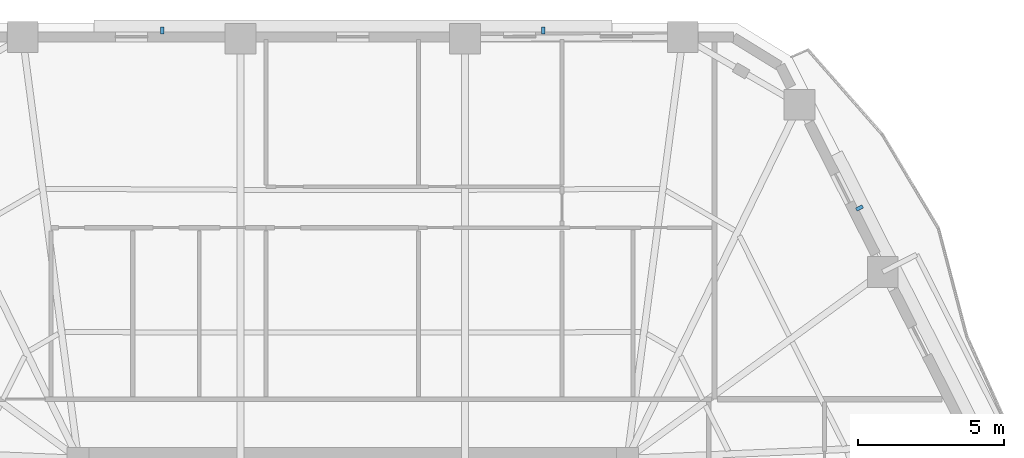
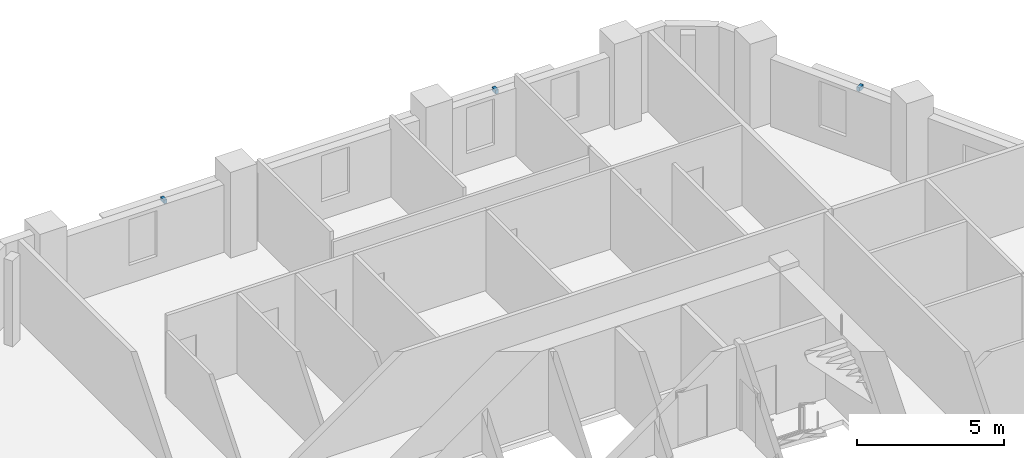
# One storey, part 9 of 12: 3 discrete accessories.
"""IFC4 building model written with IfcOpenShell, lengths in metres."""

from ifc_helpers import new_model, si_unit, direction, frame, origin, origin_2d, place, context, subcontext, project, spatial, rectangle, extrude, material, type_object, element, save


model = new_model("IFC4")

# Units and contexts
model_context = context("Model", 3, precision=1e-05, world=origin(), true_north=direction((0.0, 1.0)))
body_context = subcontext(model_context, "Body", "Model", "MODEL_VIEW")
ifc_project = project(units=[si_unit("LENGTHUNIT", "METRE"), si_unit("AREAUNIT", "SQUARE_METRE"), si_unit("VOLUMEUNIT", "CUBIC_METRE"), si_unit("PLANEANGLEUNIT", "RADIAN"), si_unit("MASSUNIT", "GRAM", prefix="KILO")], contexts=[model_context])

# Site, building, storey
site_placement = place(None, origin())
site = spatial("IfcSite", under=ifc_project, at=site_placement, CompositionType="ELEMENT")
building_placement = place(site_placement, origin())
building = spatial("IfcBuilding", under=site, at=building_placement, Name="Cinnabar Lancet Tower", CompositionType="ELEMENT")
storey_placement = place(building_placement, frame((0.0, 0.0, 126.800048828125)))
storey = spatial("IfcBuildingStorey", under=building, at=storey_placement, Name="L33", CompositionType="ELEMENT", Elevation=126.800048828125)

# Discrete accessories
ifc_material = material(Name="Stainless steel 316 facade fixing bracket", Category="steel")
discrete_accessory_type = type_object("IfcDiscreteAccessoryType", Name="ENV-ACC-BRK-180", PredefinedType="BRACKET", material=ifc_material)
for number, where, z_axis, x_axis, name in (
    (1, (49.698974609375, 41.827880859375, 2.60009765625), (0.0, 0.0, 1.0), (-0.451453853408, 0.892294468347, 0.0), "L33 Face 3 Sunshade Bracket B"),
    (2, (38.90087890625, 47.889892578125, 2.60009765625), (0.0, 0.0, 1.0), (-1.0, 0.0, 0.0), "L33 Face 4 Sunshade Bracket A"),
    (3, (25.89892578125, 47.889892578125, 2.60009765625), (0.0, 0.0, 1.0), (-1.0, 0.0, 0.0), "L33 Face 4 Sunshade Bracket B"),
):
    element("IfcDiscreteAccessory", number, at=place(storey_placement, frame(where, z_axis=z_axis, x_axis=x_axis)), inside=storey, type_object=discrete_accessory_type, Name=name, PredefinedType="BRACKET", context=body_context, shape_type="SweptSolid", body=[
        extrude(rectangle(XDim=0.1201171875, YDim=0.239990234375, at=origin_2d()), origin(), (0.0, 0.0, 1.0), 0.159912109375),
    ])

save(model, "model.ifc")
